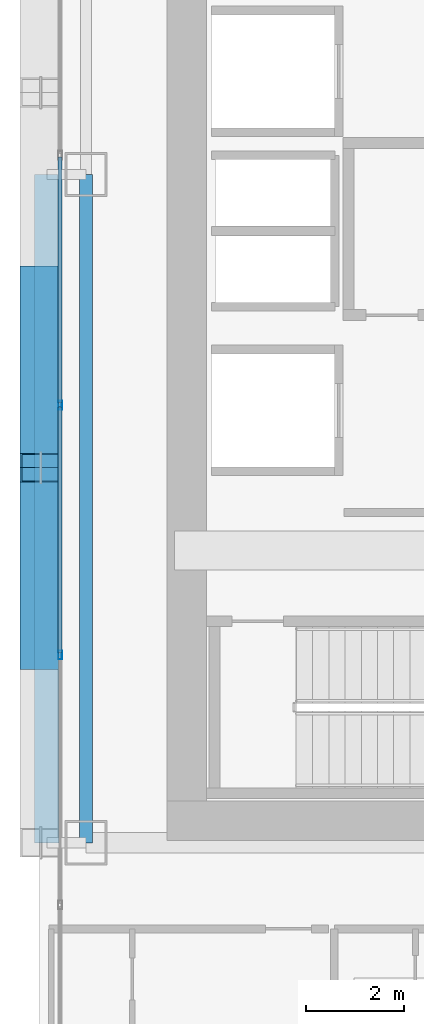
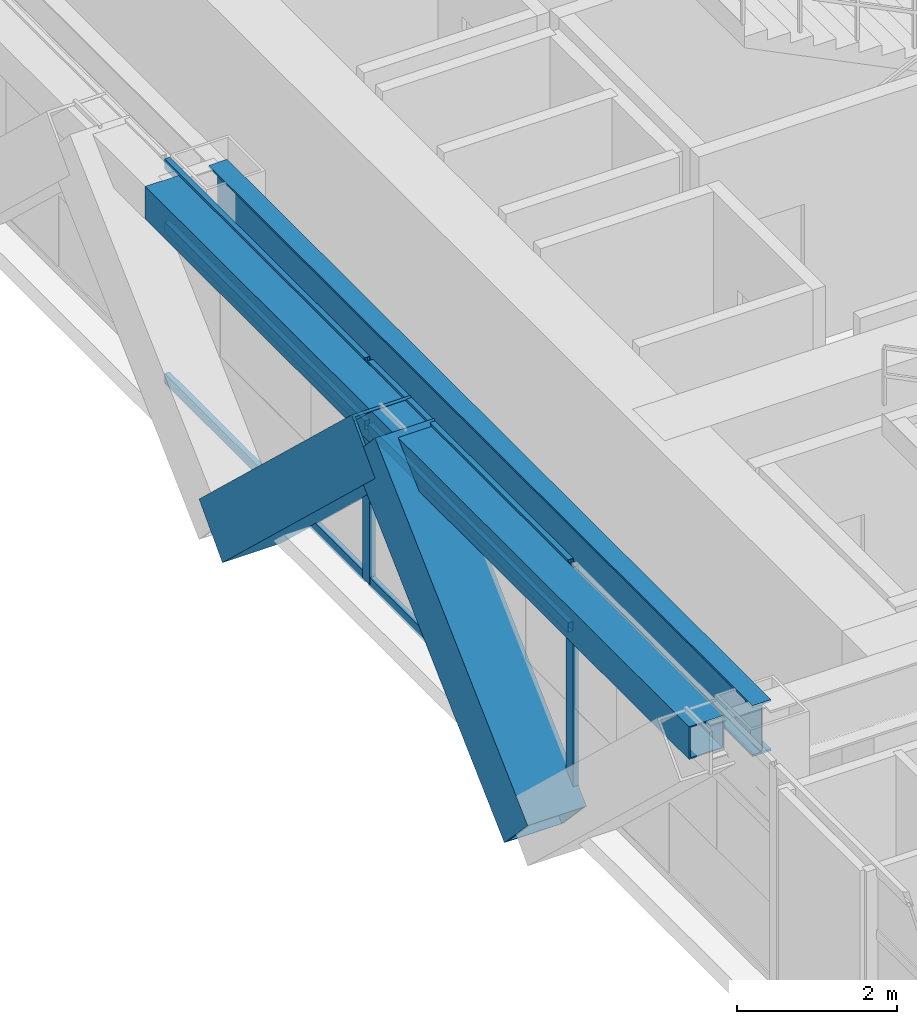
# One storey, part 7 of 41: 10 members, 2 beams, 1 element without a shape of its own.
"""IFC4 building model written with IfcOpenShell, lengths in metres."""

from ifc_helpers import new_model, si_unit, direction, frame, origin, origin_2d, place, context, subcontext, project, spatial, hollow_rectangle, i_section, extrude, source, transform, mapped, material, layer, layer_set, material_profile, profile_set, type_object, element, aggregate, save


model = new_model("IFC4")

# Units and contexts
model_context = context("Model", 3, precision=1e-05, world=origin(), true_north=direction((0.0, 1.0)))
body_context = subcontext(model_context, "Body", "Model", "MODEL_VIEW")
ifc_project = project(units=[si_unit("LENGTHUNIT", "METRE"), si_unit("AREAUNIT", "SQUARE_METRE"), si_unit("VOLUMEUNIT", "CUBIC_METRE"), si_unit("PLANEANGLEUNIT", "RADIAN"), si_unit("MASSUNIT", "GRAM", prefix="KILO")], contexts=[model_context])

# Site, building, storey
site_placement = place(None, origin())
site = spatial("IfcSite", under=ifc_project, at=site_placement, CompositionType="ELEMENT")
building_placement = place(site_placement, origin())
building = spatial("IfcBuilding", under=site, at=building_placement, Name="Ocotamira Hotel", CompositionType="ELEMENT")
storey_placement = place(building_placement, frame((0.0, 0.0, 38.39990234375)))
storey = spatial("IfcBuildingStorey", under=building, at=storey_placement, Name="L08", CompositionType="ELEMENT", Elevation=38.39990234375)

# Beams
ifc_material_1 = material(Name="Steel ASTM A992 Grade 50", Category="steel")
ifc_material_profile_1 = material_profile(ifc_material_1, i_section(OverallWidth=0.26611328125, OverallDepth=0.779052734375, WebThickness=0.0166015625, FlangeThickness=0.030029296875, FilletRadius=0.01806640625, at=origin_2d()), Name="W30X148")
ifc_profile_set_1 = profile_set([ifc_material_profile_1], Name="Steel ASTM A992 Grade 50")
beam_type_1 = type_object("IfcBeamType", Name="BM-GIRD-W30X148", PredefinedType="BEAM", material=ifc_profile_set_1)
shared_shape_1 = source(origin(), body_context, "Body", "SweptSolid", [
    extrude(i_section(OverallWidth=0.26611328125, OverallDepth=0.779052734375, WebThickness=0.0166015625, FlangeThickness=0.030029296875, FilletRadius=0.01806640625, at=origin_2d()), origin(), (0.0, 0.0, 1.0), 13.599853515625),
])
beam_1_placement = place(storey_placement, frame((8.949951171875, 14.550048828125, 2.960693359375), z_axis=(0.0, 1.0, 0.0), x_axis=(-1.0, 0.0, 0.0)))
element("IfcBeam", 1, at=beam_1_placement, inside=storey, type_object=beam_type_1, Name="L08 Beam X8.95 Y14.55-28.15", PredefinedType="BEAM", context=body_context, shape_type="MappedRepresentation", body=[
    mapped(shared_shape_1, transform((0.0, 0.0, 0.0), scale=1.0)),
])
ifc_material_2 = material(Name="Steel ASTM A500 Grade C", Category="steel")
ifc_material_profile_2 = material_profile(ifc_material_2, hollow_rectangle(XDim=0.5, YDim=0.5, WallThickness=0.02001953125, at=origin_2d()), Name="HSS500X500X20")
ifc_profile_set_2 = profile_set([ifc_material_profile_2], Name="Steel ASTM A500 Grade C")
beam_type_2 = type_object("IfcBeamType", Name="BM-SPAN-HSS500", PredefinedType="USERDEFINED", material=ifc_profile_set_2)
shared_shape_2 = source(origin(), body_context, "Body", "SweptSolid", [
    extrude(hollow_rectangle(XDim=0.5, YDim=0.5, WallThickness=0.02001953125, at=origin_2d()), origin(), (0.0, 0.0, 1.0), 13.599853515625),
])
beam_2_placement = place(storey_placement, frame((8.14990234375, 14.550048828125, 3.10009765625), z_axis=(0.0, 1.0, 0.0), x_axis=(-1.0, 0.0, 0.0)))
element("IfcBeam", 2, at=beam_2_placement, inside=storey, type_object=beam_type_2, Name="L08 Edge Spandrel W Y14.55-28.15", ObjectType="SPANDREL", PredefinedType="USERDEFINED", context=body_context, shape_type="MappedRepresentation", body=[
    mapped(shared_shape_2, transform((0.0, 0.0, 0.0), scale=1.0)),
])

# Members
ifc_material_3 = material(Name="Pale-metal coated steel ASTM A913 Grade 65", Category="steel")
ifc_material_profile_3 = material_profile(ifc_material_3, hollow_rectangle(XDim=0.85009765625, YDim=0.85009765625, WallThickness=0.035888671875, at=origin_2d()), Name="BOX850X850X36")
ifc_profile_set_3 = profile_set([ifc_material_profile_3], Name="Pale-metal coated steel ASTM A913 Grade 65")
member_type_1 = type_object("IfcMemberType", Name="MEM-EXO-BOX850", PredefinedType="BRACE", material=ifc_profile_set_3)
shared_shape_3 = source(origin(), body_context, "Body", "SweptSolid", [
    extrude(hollow_rectangle(XDim=0.85009765625, YDim=0.85009765625, WallThickness=0.035888671875, at=origin_2d()), origin(), (0.0, 0.0, 1.0), 5.24658203125),
])
for number, where, z_axis, x_axis, name in (
    (3, (8.030029296875, 18.36669921875, -0.5), (0.0, 0.727442733726, 0.686168397078), (-1.0, 0.0, 0.0), "L08 Exoskeleton Diagrid W0.2"),
    (4, (8.030029296875, 26.0, -0.5), (0.0, -0.727442733726, 0.686168397078), (1.0, 0.0, 0.0), "L08 Exoskeleton Diagrid W1.1"),
):
    element("IfcMember", number, at=place(storey_placement, frame(where, z_axis=z_axis, x_axis=x_axis)), inside=storey, type_object=member_type_1, Name=name, PredefinedType="BRACE", context=body_context, shape_type="MappedRepresentation", body=[
        mapped(shared_shape_3, transform((0.0, 0.0, 0.0), scale=1.0)),
    ])

# Curtain wall, members
ifc_material_4 = material(Name="Anodised pale-metal aluminium and solar glass", Category="aluminium")
ifc_layer = layer(ifc_material_4, 0.179931640625)
ifc_layer_set = layer_set([ifc_layer], Name="Anodised pale-metal aluminium and solar glass")
curtain_wall_type = type_object("IfcCurtainWallType", Name="CW-SYS2-Z1", PredefinedType="NOTDEFINED", material=ifc_layer_set)
curtain_wall_placement = place(storey_placement, origin())
curtain_wall = element("IfcCurtainWall", 5, at=curtain_wall_placement, inside=storey, type_object=curtain_wall_type, Name="L08 Curtain Wall CW-2 CW-L08-W", PredefinedType="NOTDEFINED")
ifc_material_5 = material(Name="Anodised pale-metal aluminium 6063-T6", Category="aluminium")
ifc_material_profile_4 = material_profile(ifc_material_5, hollow_rectangle(XDim=0.074951171875, YDim=0.14990234375, WallThickness=0.006103515625, at=origin_2d()), Name="HSS150X75X6")
ifc_profile_set_4 = profile_set([ifc_material_profile_4], Name="Anodised pale-metal aluminium 6063-T6")
member_type_2 = type_object("IfcMemberType", Name="CWT-150X75", PredefinedType="USERDEFINED", material=ifc_profile_set_4)
shared_shape_4 = source(origin(), body_context, "Body", "SweptSolid", [
    extrude(hollow_rectangle(XDim=0.074951171875, YDim=0.14990234375, WallThickness=0.006103515625, at=origin_2d()), origin(), (0.0, 0.0, 1.0), 5.005859375),
])
member_1_placement = place(storey_placement, frame((8.419921875, 18.411376953125, 0.03759765625), z_axis=(0.0, 1.0, 0.0), x_axis=(-1.0, 0.0, 0.0)))
member_1 = element("IfcMember", 6, at=member_1_placement, type_object=member_type_2, Name="CW-2 transom 3.1", ObjectType="TRANSOM", PredefinedType="USERDEFINED", context=body_context, shape_type="MappedRepresentation", body=[
    mapped(shared_shape_4, transform((0.0, 0.0, 0.0), scale=1.0)),
])
member_2_placement = place(storey_placement, frame((8.419921875, 18.411376953125, 2.35009765625), z_axis=(0.0, 1.0, 0.0), x_axis=(-1.0, 0.0, 0.0)))
member_2 = element("IfcMember", 7, at=member_2_placement, type_object=member_type_2, Name="CW-2 transom 3.2", ObjectType="TRANSOM", PredefinedType="USERDEFINED", context=body_context, shape_type="MappedRepresentation", body=[
    mapped(shared_shape_4, transform((0.0, 0.0, 0.0), scale=1.0)),
])
member_3_placement = place(storey_placement, frame((8.419921875, 18.411376953125, 3.3125), z_axis=(0.0, 1.0, 0.0), x_axis=(-1.0, 0.0, 0.0)))
member_3 = element("IfcMember", 8, at=member_3_placement, type_object=member_type_2, Name="CW-2 transom 3.3", ObjectType="TRANSOM", PredefinedType="USERDEFINED", context=body_context, shape_type="MappedRepresentation", body=[
    mapped(shared_shape_4, transform((0.0, 0.0, 0.0), scale=1.0)),
])
member_4_placement = place(storey_placement, frame((8.419921875, 23.4970703125, 0.03759765625), z_axis=(0.0, 1.0, 0.0), x_axis=(-1.0, 0.0, 0.0)))
member_4 = element("IfcMember", 9, at=member_4_placement, type_object=member_type_2, Name="CW-2 transom 4.1", ObjectType="TRANSOM", PredefinedType="USERDEFINED", context=body_context, shape_type="MappedRepresentation", body=[
    mapped(shared_shape_4, transform((0.0, 0.0, 0.0), scale=1.0)),
])
member_5_placement = place(storey_placement, frame((8.419921875, 23.4970703125, 2.35009765625), z_axis=(0.0, 1.0, 0.0), x_axis=(-1.0, 0.0, 0.0)))
member_5 = element("IfcMember", 10, at=member_5_placement, type_object=member_type_2, Name="CW-2 transom 4.2", ObjectType="TRANSOM", PredefinedType="USERDEFINED", context=body_context, shape_type="MappedRepresentation", body=[
    mapped(shared_shape_4, transform((0.0, 0.0, 0.0), scale=1.0)),
])
member_6_placement = place(storey_placement, frame((8.419921875, 23.4970703125, 3.3125), z_axis=(0.0, 1.0, 0.0), x_axis=(-1.0, 0.0, 0.0)))
member_6 = element("IfcMember", 11, at=member_6_placement, type_object=member_type_2, Name="CW-2 transom 4.3", ObjectType="TRANSOM", PredefinedType="USERDEFINED", context=body_context, shape_type="MappedRepresentation", body=[
    mapped(shared_shape_4, transform((0.0, 0.0, 0.0), scale=1.0)),
])
ifc_material_profile_5 = material_profile(ifc_material_5, hollow_rectangle(XDim=0.080078125, YDim=0.179931640625, WallThickness=0.006103515625, at=origin_2d()), Name="HSS180X80X6")
ifc_profile_set_5 = profile_set([ifc_material_profile_5], Name="Anodised pale-metal aluminium 6063-T6")
member_type_3 = type_object("IfcMemberType", Name="CWM-180X75", PredefinedType="MULLION", material=ifc_profile_set_5)
shared_shape_5 = source(origin(), body_context, "Body", "SweptSolid", [
    extrude(hollow_rectangle(XDim=0.080078125, YDim=0.179931640625, WallThickness=0.006103515625, at=origin_2d()), origin(), (0.0, 0.0, 1.0), 3.35009765625),
])
member_7_placement = place(storey_placement, frame((8.419921875, 18.371337890625, 0.0), z_axis=(0.0, 0.0, 1.0), x_axis=(-1.0, 0.0, 0.0)))
member_7 = element("IfcMember", 12, at=member_7_placement, type_object=member_type_3, Name="CW-2 mullion 3", PredefinedType="MULLION", context=body_context, shape_type="MappedRepresentation", body=[
    mapped(shared_shape_5, transform((0.0, 0.0, 0.0), scale=1.0)),
])
member_8_placement = place(storey_placement, frame((8.419921875, 23.45703125, 0.0), z_axis=(0.0, 0.0, 1.0), x_axis=(-1.0, 0.0, 0.0)))
member_8 = element("IfcMember", 13, at=member_8_placement, type_object=member_type_3, Name="CW-2 mullion 4", PredefinedType="MULLION", context=body_context, shape_type="MappedRepresentation", body=[
    mapped(shared_shape_5, transform((0.0, 0.0, 0.0), scale=1.0)),
])
aggregate(curtain_wall, [member_7, member_8, member_1, member_2, member_3, member_4, member_5, member_6])

save(model, "model.ifc")
